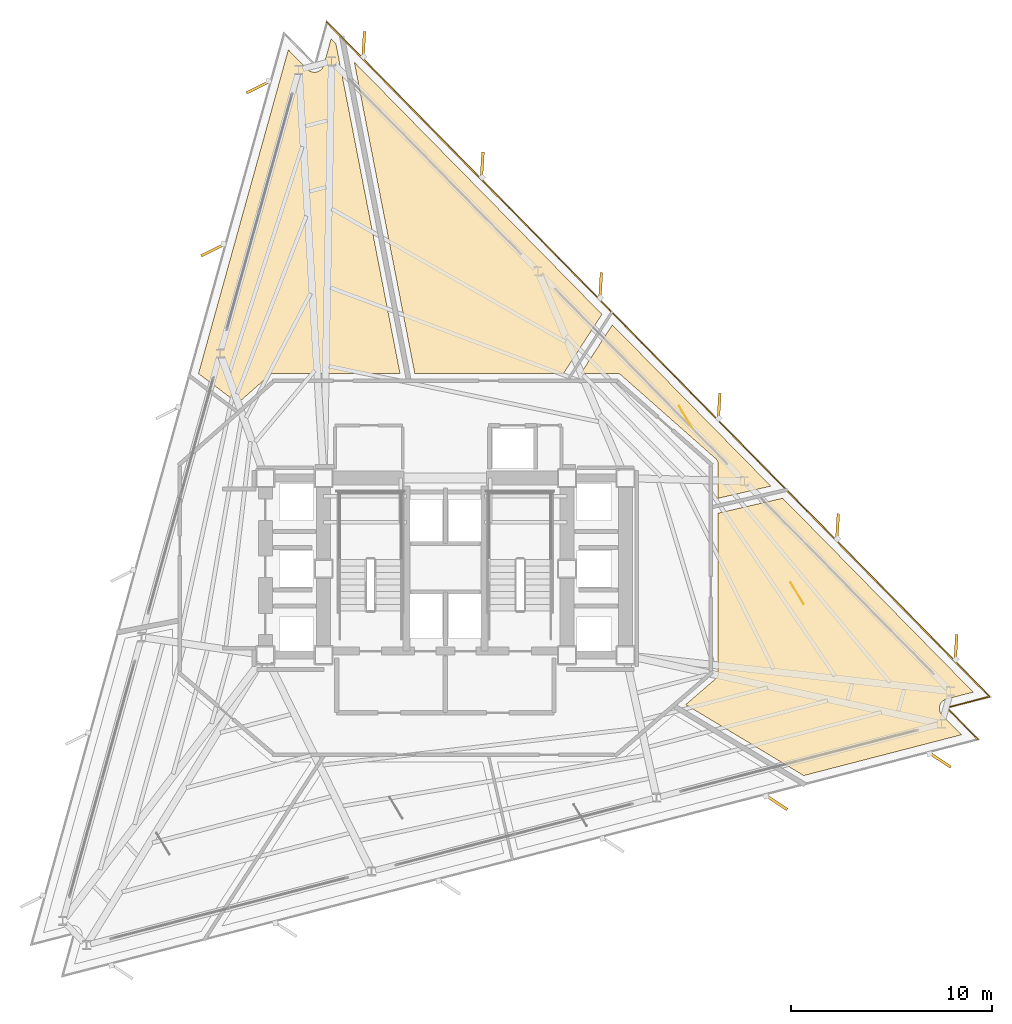
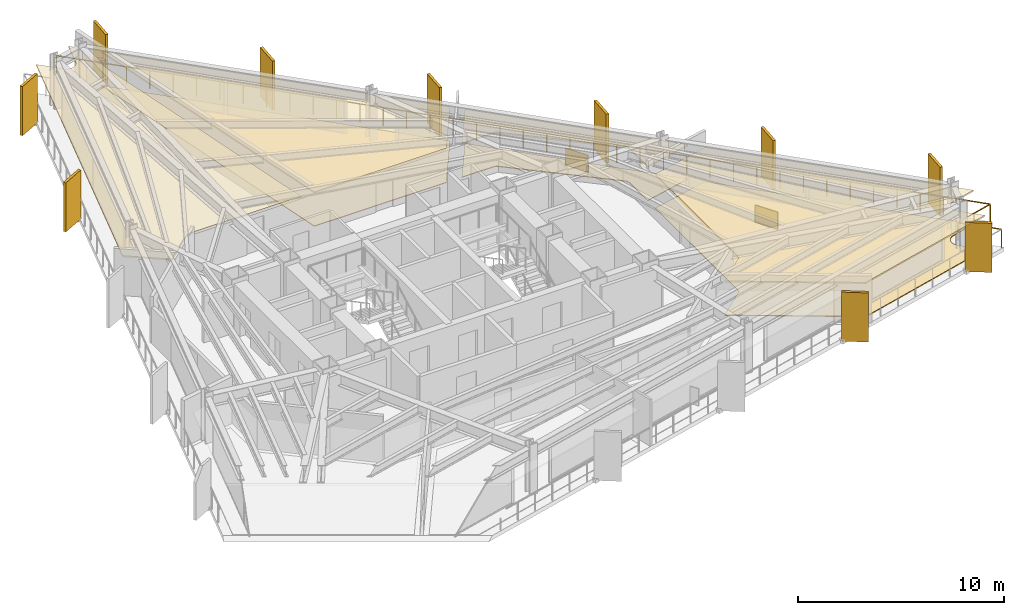
# One storey, part 11 of 11: 10 shading devices, 9 coverings, 1 railing.
"""IFC4 building model written with IfcOpenShell, lengths in metres."""

from ifc_helpers import new_model, si_unit, direction, frame, origin, origin_2d, place, context, subcontext, project, spatial, polyline, rectangle, outline, extrude, material, layer, layer_set, type_object, element, save


model = new_model("IFC4")

# Units and contexts
model_context = context("Model", 3, precision=1e-05, world=origin(), true_north=direction((0.0, 1.0)))
body_context = subcontext(model_context, "Body", "Model", "MODEL_VIEW")
ifc_project = project(units=[si_unit("LENGTHUNIT", "METRE"), si_unit("AREAUNIT", "SQUARE_METRE"), si_unit("VOLUMEUNIT", "CUBIC_METRE"), si_unit("PLANEANGLEUNIT", "RADIAN"), si_unit("MASSUNIT", "GRAM", prefix="KILO")], contexts=[model_context])

# Site, building, storey
site_placement = place(None, origin())
site = spatial("IfcSite", under=ifc_project, at=site_placement, CompositionType="ELEMENT")
building_placement = place(site_placement, origin())
building = spatial("IfcBuilding", under=site, at=building_placement, Name="Rocaltana Carrier Exchange", CompositionType="ELEMENT")
storey_placement = place(building_placement, frame((0.0, 0.0, 82.56005859375)))
storey = spatial("IfcBuildingStorey", under=building, at=storey_placement, Name="L25", CompositionType="ELEMENT", Elevation=82.56005859375)

# Coverings
ifc_material_1 = material(Name="Honed Bogota Sandstone Tile", Category="masonry")
ifc_layer_1 = layer(ifc_material_1, 0.0400390625)
ifc_layer_set_1 = layer_set([ifc_layer_1], Name="Honed Bogota Sandstone Tile")
covering_type_1 = type_object("IfcCoveringType", Name="Honed Stone Lobby Flooring 40", PredefinedType="FLOORING", material=ifc_layer_set_1)
covering_1_placement = place(storey_placement, origin())
element("IfcCovering", 1, at=covering_1_placement, inside=storey, type_object=covering_type_1, Name="L25 Optical Switching Laboratory Finish Floor", PredefinedType="FLOORING", context=body_context, shape_type="SweptSolid", body=[
    extrude(outline(polyline([(26.24072265625, -6.1357421875), (24.915771484375, -6.478515625), (24.90234375, -6.482177734375), (24.88330078125, -6.48828125), (24.857177734375, -6.497802734375), (24.838623046875, -6.505615234375), (24.813720703125, -6.517822265625), (24.796142578125, -6.52734375), (24.7724609375, -6.5419921875), (24.755859375, -6.553466796875), (24.73388671875, -6.5703125), (24.718505859375, -6.583251953125), (24.697998046875, -6.602294921875), (24.684326171875, -6.61669921875), (24.666015625, -6.6376953125), (24.653564453125, -6.6533203125), (24.63720703125, -6.67578125), (24.62646484375, -6.692626953125), (24.61279296875, -6.717041015625), (24.603515625, -6.734619140625), (24.59228515625, -6.76025390625), (24.5849609375, -6.77880859375), (24.576416015625, -6.805419921875), (24.57080078125, -6.824462890625), (24.564697265625, -6.851806640625), (24.561279296875, -6.871337890625), (24.55810546875, -6.899169921875), (24.556640625, -6.9189453125), (24.55615234375, -6.947021484375), (24.556640625, -6.966796875), (24.558837890625, -6.99462890625), (24.561279296875, -7.014404296875), (24.56640625, -7.0419921875), (24.57080078125, -7.061279296875), (24.57861328125, -7.088134765625), (24.5849609375, -7.10693359375), (24.59521484375, -7.133056640625), (24.603515625, -7.151123046875), (24.6162109375, -7.17578125), (24.626220703125, -7.193115234375), (24.6416015625, -7.216552734375), (24.6533203125, -7.232666015625), (24.6708984375, -7.25439453125), (24.68408203125, -7.269287109375), (24.693603515625, -7.279541015625), (25.65283203125, -8.255615234375), (17.81298828125, -10.283203125), (11.944580078125, -6.757080078125), (13.43505859375, -5.47265625), (13.44482421875, -5.4638671875), (13.450439453125, -5.45849609375), (13.468994140625, -5.439208984375), (13.47412109375, -5.433349609375), (13.490478515625, -5.41259765625), (13.4951171875, -5.40625), (13.509521484375, -5.3837890625), (13.51318359375, -5.377197265625), (13.525634765625, -5.353515625), (13.52880859375, -5.346435546875), (13.538818359375, -5.32177734375), (13.541259765625, -5.314453125), (13.548828125, -5.288818359375), (13.550537109375, -5.281494140625), (13.5556640625, -5.255126953125), (13.556884765625, -5.24755859375), (13.559326171875, -5.220947265625), (13.559814453125, -5.21337890625), (13.56005859375, -5.199951171875), (13.56005859375, 2.760986328125), (16.769775390625, 3.502197265625), (26.24072265625, -6.1357421875)])), origin(), (0.0, 0.0, 1.0), 0.0400390625),
])
covering_2_placement = place(storey_placement, origin())
element("IfcCovering", 2, at=covering_2_placement, inside=storey, type_object=covering_type_1, Name="L25 Executive Peering Boardroom Finish Floor", PredefinedType="FLOORING", context=body_context, shape_type="SweptSolid", body=[
    extrude(outline(polyline([(16.177734375, 4.1044921875), (13.56005859375, 3.5), (13.56005859375, 5.199951171875), (13.559814453125, 5.213134765625), (13.559326171875, 5.220703125), (13.556884765625, 5.246826171875), (13.555908203125, 5.25439453125), (13.55078125, 5.2802734375), (13.549072265625, 5.28759765625), (13.541748046875, 5.31298828125), (13.539306640625, 5.320068359375), (13.529541015625, 5.344482421875), (13.526611328125, 5.351318359375), (13.5146484375, 5.375), (13.5107421875, 5.38134765625), (13.49658203125, 5.40380859375), (13.492431640625, 5.409912109375), (13.476318359375, 5.4306640625), (13.471435546875, 5.436279296875), (13.453369140625, 5.455810546875), (13.447998046875, 5.4609375), (13.438232421875, 5.469970703125), (8.73828125, 9.619873046875), (8.727294921875, 9.629150390625), (8.720703125, 9.63427734375), (8.697265625, 9.651123046875), (8.690185546875, 9.655517578125), (8.6650390625, 9.669921875), (8.65771484375, 9.673583984375), (8.631103515625, 9.68505859375), (8.62353515625, 9.68798828125), (8.595947265625, 9.697021484375), (8.587890625, 9.698974609375), (8.5595703125, 9.704833984375), (8.551513671875, 9.706298828125), (8.522705078125, 9.709228515625), (8.514404296875, 9.709716796875), (8.5, 9.7099609375), (6.735107421875, 9.7099609375), (8.30029296875, 12.12060546875), (16.177734375, 4.1044921875)])), origin(), (0.0, 0.0, 1.0), 0.0400390625),
])
covering_3_placement = place(storey_placement, origin())
element("IfcCovering", 3, at=covering_3_placement, inside=storey, type_object=covering_type_1, Name="L25 Peering Conference Room Finish Floor", PredefinedType="FLOORING", context=body_context, shape_type="SweptSolid", body=[
    extrude(outline(polyline([(7.783447265625, 12.646484375), (5.87646484375, 9.7099609375), (-1.520751953125, 9.7099609375), (-4.5263671875, 25.173095703125), (7.783447265625, 12.646484375)])), origin(), (0.0, 0.0, 1.0), 0.0400390625),
])
ifc_material_2 = material(Name="Anodised Aluminium 6063-T6", Category="aluminium")
ifc_layer_2 = layer(ifc_material_2, 0.0849609375)
ifc_layer_set_2 = layer_set([ifc_layer_2], Name="Anodised Aluminium 6063-T6")
covering_type_2 = type_object("IfcCoveringType", Name="Linear Baffle Acoustic Ceiling 85", PredefinedType="CEILING", material=ifc_layer_set_2)
covering_4_placement = place(storey_placement, frame((0.0, 0.0, 1.972900390625)))
element("IfcCovering", 4, at=covering_4_placement, inside=storey, type_object=covering_type_2, Name="L25 Optical Switching Laboratory Acoustic Ceiling", PredefinedType="CEILING", context=body_context, shape_type="SweptSolid", body=[
    extrude(outline(polyline([(26.24072265625, -6.1357421875), (24.915771484375, -6.478515625), (24.90234375, -6.482177734375), (24.88330078125, -6.48828125), (24.857177734375, -6.497802734375), (24.838623046875, -6.505615234375), (24.813720703125, -6.517822265625), (24.796142578125, -6.52734375), (24.7724609375, -6.5419921875), (24.755859375, -6.553466796875), (24.73388671875, -6.5703125), (24.718505859375, -6.583251953125), (24.697998046875, -6.602294921875), (24.684326171875, -6.61669921875), (24.666015625, -6.6376953125), (24.653564453125, -6.6533203125), (24.63720703125, -6.67578125), (24.62646484375, -6.692626953125), (24.61279296875, -6.717041015625), (24.603515625, -6.734619140625), (24.59228515625, -6.76025390625), (24.5849609375, -6.77880859375), (24.576416015625, -6.805419921875), (24.57080078125, -6.824462890625), (24.564697265625, -6.851806640625), (24.561279296875, -6.871337890625), (24.55810546875, -6.899169921875), (24.556640625, -6.9189453125), (24.55615234375, -6.947021484375), (24.556640625, -6.966796875), (24.558837890625, -6.99462890625), (24.561279296875, -7.014404296875), (24.56640625, -7.0419921875), (24.57080078125, -7.061279296875), (24.57861328125, -7.088134765625), (24.5849609375, -7.10693359375), (24.59521484375, -7.133056640625), (24.603515625, -7.151123046875), (24.6162109375, -7.17578125), (24.626220703125, -7.193115234375), (24.6416015625, -7.216552734375), (24.6533203125, -7.232666015625), (24.6708984375, -7.25439453125), (24.68408203125, -7.269287109375), (24.693603515625, -7.279541015625), (25.65283203125, -8.255615234375), (17.81298828125, -10.283203125), (11.944580078125, -6.757080078125), (13.43505859375, -5.47265625), (13.44482421875, -5.4638671875), (13.450439453125, -5.45849609375), (13.468994140625, -5.439208984375), (13.47412109375, -5.433349609375), (13.490478515625, -5.41259765625), (13.4951171875, -5.40625), (13.509521484375, -5.3837890625), (13.51318359375, -5.377197265625), (13.525634765625, -5.353515625), (13.52880859375, -5.346435546875), (13.538818359375, -5.32177734375), (13.541259765625, -5.314453125), (13.548828125, -5.288818359375), (13.550537109375, -5.281494140625), (13.5556640625, -5.255126953125), (13.556884765625, -5.24755859375), (13.559326171875, -5.220947265625), (13.559814453125, -5.21337890625), (13.56005859375, -5.199951171875), (13.56005859375, 2.760986328125), (16.769775390625, 3.502197265625), (26.24072265625, -6.1357421875)])), origin(), (0.0, 0.0, 1.0), 0.0849609375),
])
covering_5_placement = place(storey_placement, frame((0.0, 0.0, 1.972900390625)))
element("IfcCovering", 5, at=covering_5_placement, inside=storey, type_object=covering_type_2, Name="L25 Executive Peering Boardroom Acoustic Ceiling", PredefinedType="CEILING", context=body_context, shape_type="SweptSolid", body=[
    extrude(outline(polyline([(16.177734375, 4.1044921875), (13.56005859375, 3.5), (13.56005859375, 5.199951171875), (13.559814453125, 5.213134765625), (13.559326171875, 5.220703125), (13.556884765625, 5.246826171875), (13.555908203125, 5.25439453125), (13.55078125, 5.2802734375), (13.549072265625, 5.28759765625), (13.541748046875, 5.31298828125), (13.539306640625, 5.320068359375), (13.529541015625, 5.344482421875), (13.526611328125, 5.351318359375), (13.5146484375, 5.375), (13.5107421875, 5.38134765625), (13.49658203125, 5.40380859375), (13.492431640625, 5.409912109375), (13.476318359375, 5.4306640625), (13.471435546875, 5.436279296875), (13.453369140625, 5.455810546875), (13.447998046875, 5.4609375), (13.438232421875, 5.469970703125), (8.73828125, 9.619873046875), (8.727294921875, 9.629150390625), (8.720703125, 9.63427734375), (8.697265625, 9.651123046875), (8.690185546875, 9.655517578125), (8.6650390625, 9.669921875), (8.65771484375, 9.673583984375), (8.631103515625, 9.68505859375), (8.62353515625, 9.68798828125), (8.595947265625, 9.697021484375), (8.587890625, 9.698974609375), (8.5595703125, 9.704833984375), (8.551513671875, 9.706298828125), (8.522705078125, 9.709228515625), (8.514404296875, 9.709716796875), (8.5, 9.7099609375), (6.735107421875, 9.7099609375), (8.30029296875, 12.12060546875), (16.177734375, 4.1044921875)])), origin(), (0.0, 0.0, 1.0), 0.0849609375),
])
covering_6_placement = place(storey_placement, frame((0.0, 0.0, 1.972900390625)))
element("IfcCovering", 6, at=covering_6_placement, inside=storey, type_object=covering_type_2, Name="L25 Peering Conference Room Acoustic Ceiling", PredefinedType="CEILING", context=body_context, shape_type="SweptSolid", body=[
    extrude(outline(polyline([(7.783447265625, 12.646484375), (5.87646484375, 9.7099609375), (-1.520751953125, 9.7099609375), (-4.5263671875, 25.173095703125), (7.783447265625, 12.646484375)])), origin(), (0.0, 0.0, 1.0), 0.0849609375),
])
covering_7_placement = place(storey_placement, frame((0.0, 0.0, 1.972900390625)))
element("IfcCovering", 7, at=covering_7_placement, inside=storey, type_object=covering_type_2, Name="L25 Quiet Focus Lounge Acoustic Ceiling", PredefinedType="CEILING", context=body_context, shape_type="SweptSolid", body=[
    extrude(outline(polyline([(-7.806640625, 25.79296875), (-6.847412109375, 24.81689453125), (-6.83740234375, 24.80712890625), (-6.82275390625, 24.793701171875), (-6.80126953125, 24.775634765625), (-6.785400390625, 24.763671875), (-6.76220703125, 24.748046875), (-6.7451171875, 24.73779296875), (-6.720703125, 24.724609375), (-6.70263671875, 24.7158203125), (-6.677001953125, 24.705078125), (-6.658203125, 24.698486328125), (-6.63134765625, 24.690185546875), (-6.612060546875, 24.685302734375), (-6.584716796875, 24.679931640625), (-6.56494140625, 24.677001953125), (-6.537109375, 24.67431640625), (-6.517333984375, 24.673583984375), (-6.489501953125, 24.673583984375), (-6.469482421875, 24.6748046875), (-6.441650390625, 24.677490234375), (-6.422119140625, 24.6806640625), (-6.39453125, 24.686279296875), (-6.375244140625, 24.691162109375), (-6.3486328125, 24.699462890625), (-6.330078125, 24.706298828125), (-6.30419921875, 24.71728515625), (-6.286376953125, 24.72607421875), (-6.261962890625, 24.739501953125), (-6.244873046875, 24.75), (-6.221923828125, 24.765869140625), (-6.2060546875, 24.77783203125), (-6.184814453125, 24.7958984375), (-6.170166015625, 24.8095703125), (-6.15087890625, 24.82958984375), (-6.1376953125, 24.844482421875), (-6.120361328125, 24.866455078125), (-6.108642578125, 24.8828125), (-6.09375, 24.90625), (-6.083740234375, 24.923583984375), (-6.071044921875, 24.948486328125), (-6.06298828125, 24.966552734375), (-6.052978515625, 24.99267578125), (-6.046630859375, 25.01171875), (-6.04248046875, 25.02490234375), (-5.6767578125, 26.34375), (-5.44091796875, 26.103759765625), (-2.254150390625, 9.7099609375), (-8.5, 9.7099609375), (-8.514404296875, 9.709716796875), (-8.522705078125, 9.709228515625), (-8.551513671875, 9.706298828125), (-8.5595703125, 9.704833984375), (-8.587890625, 9.698974609375), (-8.595947265625, 9.697021484375), (-8.62353515625, 9.68798828125), (-8.631103515625, 9.68505859375), (-8.65771484375, 9.673583984375), (-8.6650390625, 9.669921875), (-8.690185546875, 9.655517578125), (-8.697265625, 9.651123046875), (-8.720703125, 9.63427734375), (-8.727294921875, 9.629150390625), (-8.73828125, 9.619873046875), (-10.3173828125, 8.2255859375), (-12.2705078125, 9.697265625), (-7.806640625, 25.79296875)])), origin(), (0.0, 0.0, 1.0), 0.0849609375),
])
ifc_material_3 = material(Name="Honed Piedra Muneca Sandstone", Category="masonry")
ifc_layer_3 = layer(ifc_material_3, 0.034912109375)
ifc_layer_set_3 = layer_set([ifc_layer_3], Name="Honed Piedra Muneca Sandstone")
covering_type_3 = type_object("IfcCoveringType", Name="Stone Facade Cladding 35", PredefinedType="CLADDING", material=ifc_layer_set_3)
for number, where, z_axis, x_axis, name in (
    (8, (17.48486328125, -1.219482421875, 0.0), (0.0, 0.0, 1.0), (-0.51503807491, 0.857167300702, 0.0), "L25 Stone Facade Cladding Panel 4"),
    (9, (11.942626953125, 7.544921875, 0.0), (0.0, 0.0, 1.0), (-0.51503807491, 0.857167300702, 0.0), "L25 Stone Facade Cladding Panel 5"),
):
    element("IfcCovering", number, at=place(storey_placement, frame(where, z_axis=z_axis, x_axis=x_axis)), inside=storey, type_object=covering_type_3, Name=name, PredefinedType="CLADDING", context=body_context, shape_type="SweptSolid", body=[
        extrude(rectangle(XDim=1.25, YDim=0.034912109375, at=origin_2d()), origin(), (0.0, 0.0, 1.0), 1.050048828125),
    ])

# Shading devices
ifc_material_4 = material(Name="Honed Bogota Sandstone & Concrete C45/55", Category="masonry")
ifc_layer_4 = layer(ifc_material_4, 0.139892578125)
ifc_layer_set_4 = layer_set([ifc_layer_4], Name="Honed Bogota Sandstone & Concrete C45/55")
shading_device_type = type_object("IfcShadingDeviceType", Name="Vertical Sandstone Shading Fin 1320x140", PredefinedType="USERDEFINED", material=ifc_layer_set_4)
for number, where, z_axis, x_axis, name in (
    (10, (25.38134765625, -3.9189453125, -0.1201171875), (0.0, 0.0, 1.0), (0.061048539535, 0.998134798422, 0.0), "L25 Sandstone Vertical Fin F1-01"),
    (11, (19.49365234375, 2.072509765625, -0.1201171875), (0.0, 0.0, 1.0), (0.061048539535, 0.998134798422, 0.0), "L25 Sandstone Vertical Fin F1-02"),
    (12, (13.60595703125, 8.063720703125, -0.1201171875), (0.0, 0.0, 1.0), (0.061048539535, 0.998134798422, 0.0), "L25 Sandstone Vertical Fin F1-03"),
    (13, (7.718505859375, 14.054931640625, -0.1201171875), (0.0, 0.0, 1.0), (0.061048539535, 0.998134798422, 0.0), "L25 Sandstone Vertical Fin F1-04"),
    (14, (1.830810546875, 20.04638671875, -0.1201171875), (0.0, 0.0, 1.0), (0.061048539535, 0.998134798422, 0.0), "L25 Sandstone Vertical Fin F1-05"),
    (15, (-4.056884765625, 26.03759765625, -0.1201171875), (0.0, 0.0, 1.0), (0.061048539535, 0.998134798422, 0.0), "L25 Sandstone Vertical Fin F1-06"),
    (16, (-9.296630859375, 23.940185546875, -0.1201171875), (0.0, 0.0, 1.0), (-0.894934361602, -0.44619781311, 0.0), "L25 Sandstone Vertical Fin F2-01"),
    (17, (-11.54150390625, 15.845703125, -0.1201171875), (0.0, 0.0, 1.0), (-0.894934361602, -0.44619781311, 0.0), "L25 Sandstone Vertical Fin F2-02"),
    (18, (16.4453125, -11.608642578125, -0.1201171875), (0.0, 0.0, 1.0), (0.833885822067, -0.551936985312, 0.0), "L25 Sandstone Vertical Fin F3-05"),
    (19, (24.57763671875, -9.50537109375, -0.1201171875), (0.0, 0.0, 1.0), (0.833885822067, -0.551936985312, 0.0), "L25 Sandstone Vertical Fin F3-06"),
):
    element("IfcShadingDevice", number, at=place(storey_placement, frame(where, z_axis=z_axis, x_axis=x_axis)), inside=storey, type_object=shading_device_type, Name=name, ObjectType="FIN", PredefinedType="USERDEFINED", context=body_context, shape_type="SweptSolid", body=[
        extrude(rectangle(XDim=1.320068359375, YDim=0.139892578125, at=origin_2d()), origin(), (0.0, 0.0, 1.0), 2.907958984375),
    ])

# Railing
ifc_material_5 = material(Name="Powder-Coated Aluminium 6063-T6", Category="aluminium")
ifc_layer_5 = layer(ifc_material_5, 0.06005859375)
ifc_layer_set_5 = layer_set([ifc_layer_5], Name="Powder-Coated Aluminium 6063-T6")
railing_type = type_object("IfcRailingType", Name="Wind-Floor & Terrace Perimeter Guardrail 1100", PredefinedType="GUARDRAIL", material=ifc_layer_set_5)
railing_placement = place(storey_placement, frame((-5.88720703125, 27.156982421875, 0.0)))
element("IfcRailing", 20, at=railing_placement, inside=storey, type_object=railing_type, Name="L25 Perimeter Balcony Guardrail 3", PredefinedType="GUARDRAIL", context=body_context, shape_type="SweptSolid", body=[
    extrude(rectangle(XDim=0.048095703125, YDim=0.048095703125, at=origin_2d()), frame((0.0, 0.0, 1.076171875), z_axis=(0.7009130267, -0.713246751835, 0.0), x_axis=(0.713246751835, 0.7009130267, 0.0)), (0.0, 0.0, 1.0), 46.9921875),
    extrude(rectangle(XDim=0.048095703125, YDim=0.048095703125, at=origin_2d()), frame((32.9375, -33.51708984375, 1.076171875), z_axis=(-0.968152477167, -0.250361300835, 0.0), x_axis=(0.250361300835, -0.968152477167, 0.0)), (0.0, 0.0, 1.0), 2.199951171875),
    extrude(rectangle(XDim=0.048095703125, YDim=0.048095703125, at=origin_2d()), frame((30.8076171875, -34.06787109375, 1.076171875), z_axis=(0.700920820206, -0.713239093012, 0.0), x_axis=(0.713239093012, 0.700920820206, 0.0)), (0.0, 0.0, 1.0), 2.199951171875),
    extrude(rectangle(XDim=0.0419921875, YDim=0.0419921875, at=origin_2d()), origin(), (0.0, 0.0, 1.0), 1.052001953125),
    extrude(rectangle(XDim=0.0419921875, YDim=0.0419921875, at=origin_2d()), frame((0.823486328125, -0.837890625, 0.0)), (0.0, 0.0, 1.0), 1.052001953125),
    extrude(rectangle(XDim=0.0419921875, YDim=0.0419921875, at=origin_2d()), frame((1.64697265625, -1.67578125, 0.0)), (0.0, 0.0, 1.0), 1.052001953125),
    extrude(rectangle(XDim=0.0419921875, YDim=0.0419921875, at=origin_2d()), frame((2.47021484375, -2.513671875, 0.0)), (0.0, 0.0, 1.0), 1.052001953125),
    extrude(rectangle(XDim=0.0419921875, YDim=0.0419921875, at=origin_2d()), frame((3.293701171875, -3.351806640625, 0.0)), (0.0, 0.0, 1.0), 1.052001953125),
    extrude(rectangle(XDim=0.0419921875, YDim=0.0419921875, at=origin_2d()), frame((4.1171875, -4.189697265625, 0.0)), (0.0, 0.0, 1.0), 1.052001953125),
    extrude(rectangle(XDim=0.0419921875, YDim=0.0419921875, at=origin_2d()), frame((4.940673828125, -5.027587890625, 0.0)), (0.0, 0.0, 1.0), 1.052001953125),
    extrude(rectangle(XDim=0.0419921875, YDim=0.0419921875, at=origin_2d()), frame((5.76416015625, -5.865478515625, 0.0)), (0.0, 0.0, 1.0), 1.052001953125),
    extrude(rectangle(XDim=0.0419921875, YDim=0.0419921875, at=origin_2d()), frame((6.58740234375, -6.703369140625, 0.0)), (0.0, 0.0, 1.0), 1.052001953125),
    extrude(rectangle(XDim=0.0419921875, YDim=0.0419921875, at=origin_2d()), frame((7.410888671875, -7.541259765625, 0.0)), (0.0, 0.0, 1.0), 1.052001953125),
    extrude(rectangle(XDim=0.0419921875, YDim=0.0419921875, at=origin_2d()), frame((8.234375, -8.37939453125, 0.0)), (0.0, 0.0, 1.0), 1.052001953125),
    extrude(rectangle(XDim=0.0419921875, YDim=0.0419921875, at=origin_2d()), frame((9.057861328125, -9.21728515625, 0.0)), (0.0, 0.0, 1.0), 1.052001953125),
    extrude(rectangle(XDim=0.0419921875, YDim=0.0419921875, at=origin_2d()), frame((9.88134765625, -10.05517578125, 0.0)), (0.0, 0.0, 1.0), 1.052001953125),
    extrude(rectangle(XDim=0.0419921875, YDim=0.0419921875, at=origin_2d()), frame((10.70458984375, -10.89306640625, 0.0)), (0.0, 0.0, 1.0), 1.052001953125),
    extrude(rectangle(XDim=0.0419921875, YDim=0.0419921875, at=origin_2d()), frame((11.528076171875, -11.73095703125, 0.0)), (0.0, 0.0, 1.0), 1.052001953125),
    extrude(rectangle(XDim=0.0419921875, YDim=0.0419921875, at=origin_2d()), frame((12.3515625, -12.56884765625, 0.0)), (0.0, 0.0, 1.0), 1.052001953125),
    extrude(rectangle(XDim=0.0419921875, YDim=0.0419921875, at=origin_2d()), frame((13.175048828125, -13.40673828125, 0.0)), (0.0, 0.0, 1.0), 1.052001953125),
    extrude(rectangle(XDim=0.0419921875, YDim=0.0419921875, at=origin_2d()), frame((13.99853515625, -14.244873046875, 0.0)), (0.0, 0.0, 1.0), 1.052001953125),
    extrude(rectangle(XDim=0.0419921875, YDim=0.0419921875, at=origin_2d()), frame((14.82177734375, -15.082763671875, 0.0)), (0.0, 0.0, 1.0), 1.052001953125),
    extrude(rectangle(XDim=0.0419921875, YDim=0.0419921875, at=origin_2d()), frame((15.645263671875, -15.920654296875, 0.0)), (0.0, 0.0, 1.0), 1.052001953125),
    extrude(rectangle(XDim=0.0419921875, YDim=0.0419921875, at=origin_2d()), frame((16.46875, -16.758544921875, 0.0)), (0.0, 0.0, 1.0), 1.052001953125),
    extrude(rectangle(XDim=0.0419921875, YDim=0.0419921875, at=origin_2d()), frame((17.292236328125, -17.596435546875, 0.0)), (0.0, 0.0, 1.0), 1.052001953125),
    extrude(rectangle(XDim=0.0419921875, YDim=0.0419921875, at=origin_2d()), frame((18.11572265625, -18.434326171875, 0.0)), (0.0, 0.0, 1.0), 1.052001953125),
    extrude(rectangle(XDim=0.0419921875, YDim=0.0419921875, at=origin_2d()), frame((18.93896484375, -19.272216796875, 0.0)), (0.0, 0.0, 1.0), 1.052001953125),
    extrude(rectangle(XDim=0.0419921875, YDim=0.0419921875, at=origin_2d()), frame((19.762451171875, -20.1103515625, 0.0)), (0.0, 0.0, 1.0), 1.052001953125),
    extrude(rectangle(XDim=0.0419921875, YDim=0.0419921875, at=origin_2d()), frame((20.5859375, -20.9482421875, 0.0)), (0.0, 0.0, 1.0), 1.052001953125),
    extrude(rectangle(XDim=0.0419921875, YDim=0.0419921875, at=origin_2d()), frame((21.409423828125, -21.7861328125, 0.0)), (0.0, 0.0, 1.0), 1.052001953125),
    extrude(rectangle(XDim=0.0419921875, YDim=0.0419921875, at=origin_2d()), frame((22.23291015625, -22.6240234375, 0.0)), (0.0, 0.0, 1.0), 1.052001953125),
    extrude(rectangle(XDim=0.0419921875, YDim=0.0419921875, at=origin_2d()), frame((23.05615234375, -23.4619140625, 0.0)), (0.0, 0.0, 1.0), 1.052001953125),
    extrude(rectangle(XDim=0.0419921875, YDim=0.0419921875, at=origin_2d()), frame((23.879638671875, -24.2998046875, 0.0)), (0.0, 0.0, 1.0), 1.052001953125),
    extrude(rectangle(XDim=0.0419921875, YDim=0.0419921875, at=origin_2d()), frame((24.703125, -25.1376953125, 0.0)), (0.0, 0.0, 1.0), 1.052001953125),
    extrude(rectangle(XDim=0.0419921875, YDim=0.0419921875, at=origin_2d()), frame((25.526611328125, -25.975830078125, 0.0)), (0.0, 0.0, 1.0), 1.052001953125),
    extrude(rectangle(XDim=0.0419921875, YDim=0.0419921875, at=origin_2d()), frame((26.35009765625, -26.813720703125, 0.0)), (0.0, 0.0, 1.0), 1.052001953125),
    extrude(rectangle(XDim=0.0419921875, YDim=0.0419921875, at=origin_2d()), frame((27.17333984375, -27.651611328125, 0.0)), (0.0, 0.0, 1.0), 1.052001953125),
    extrude(rectangle(XDim=0.0419921875, YDim=0.0419921875, at=origin_2d()), frame((27.996826171875, -28.489501953125, 0.0)), (0.0, 0.0, 1.0), 1.052001953125),
    extrude(rectangle(XDim=0.0419921875, YDim=0.0419921875, at=origin_2d()), frame((28.8203125, -29.327392578125, 0.0)), (0.0, 0.0, 1.0), 1.052001953125),
    extrude(rectangle(XDim=0.0419921875, YDim=0.0419921875, at=origin_2d()), frame((29.643798828125, -30.165283203125, 0.0)), (0.0, 0.0, 1.0), 1.052001953125),
    extrude(rectangle(XDim=0.0419921875, YDim=0.0419921875, at=origin_2d()), frame((30.46728515625, -31.00341796875, 0.0)), (0.0, 0.0, 1.0), 1.052001953125),
    extrude(rectangle(XDim=0.0419921875, YDim=0.0419921875, at=origin_2d()), frame((31.29052734375, -31.84130859375, 0.0)), (0.0, 0.0, 1.0), 1.052001953125),
    extrude(rectangle(XDim=0.0419921875, YDim=0.0419921875, at=origin_2d()), frame((32.114013671875, -32.67919921875, 0.0)), (0.0, 0.0, 1.0), 1.052001953125),
    extrude(rectangle(XDim=0.0419921875, YDim=0.0419921875, at=origin_2d()), frame((32.9375, -33.51708984375, 0.0)), (0.0, 0.0, 1.0), 1.052001953125),
    extrude(rectangle(XDim=0.0419921875, YDim=0.0419921875, at=origin_2d()), frame((31.87255859375, -33.79248046875, 0.0)), (0.0, 0.0, 1.0), 1.052001953125),
    extrude(rectangle(XDim=0.0419921875, YDim=0.0419921875, at=origin_2d()), frame((30.8076171875, -34.06787109375, 0.0)), (0.0, 0.0, 1.0), 1.052001953125),
    extrude(rectangle(XDim=0.0419921875, YDim=0.0419921875, at=origin_2d()), frame((31.57861328125, -34.8525390625, 0.0)), (0.0, 0.0, 1.0), 1.052001953125),
    extrude(rectangle(XDim=0.0419921875, YDim=0.0419921875, at=origin_2d()), frame((32.349609375, -35.636962890625, 0.0)), (0.0, 0.0, 1.0), 1.052001953125),
])

save(model, "model.ifc")
